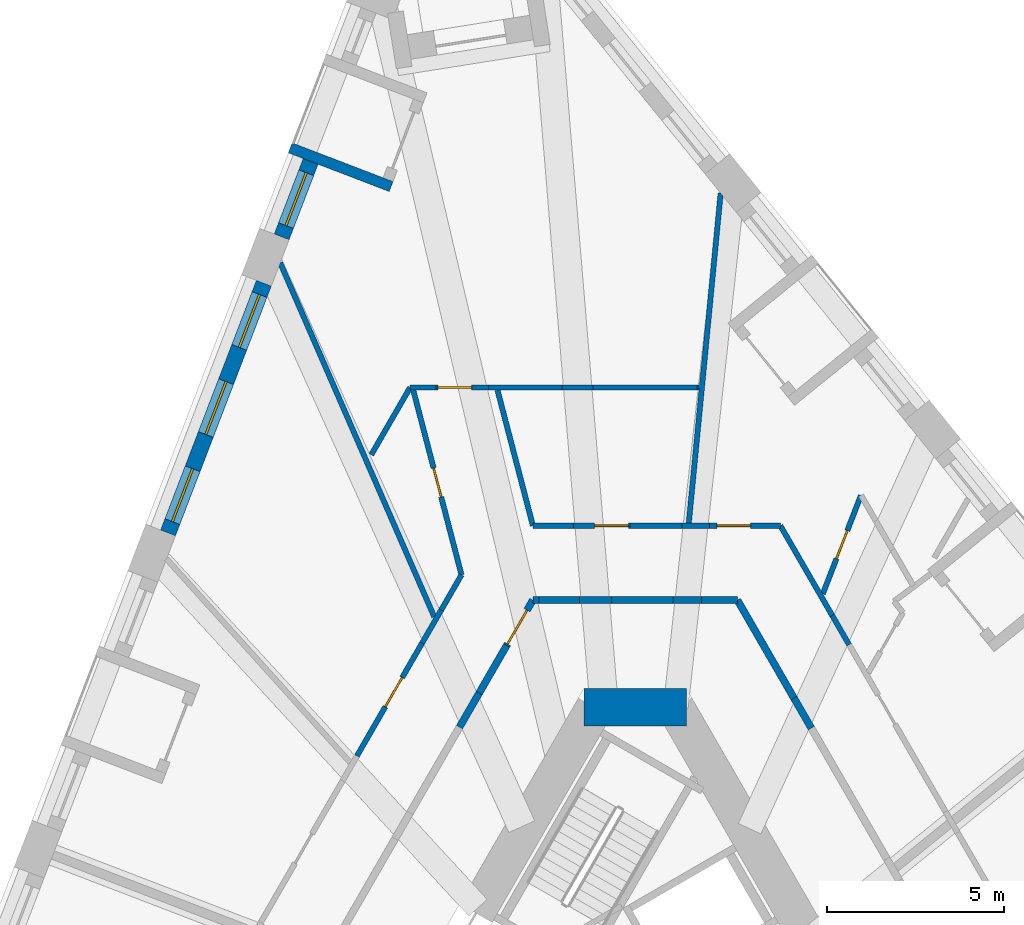
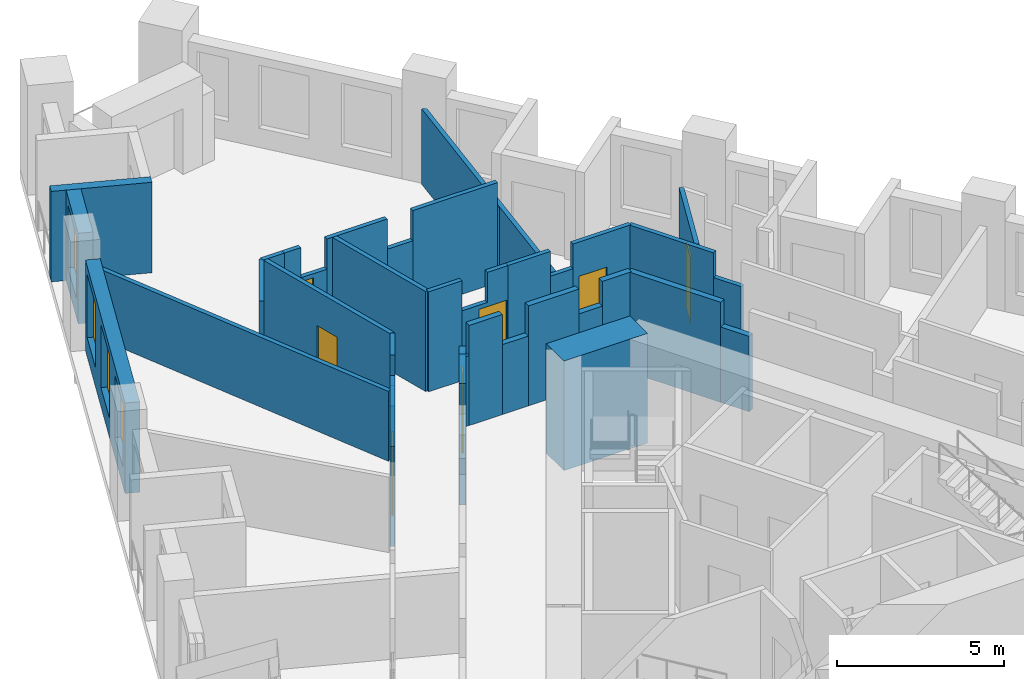
# One storey, part 8 of 14: 37 walls, 7 doors, 4 windows, 11 openings.
"""IFC4 building model written with IfcOpenShell, lengths in metres."""

from ifc_helpers import new_model, si_unit, direction, frame, frame_2d, origin, place, context, subcontext, project, spatial, polyline, rectangle, outline, extrude, material, layer, layer_set, type_object, element, fill, save


model = new_model("IFC4")

# Units and contexts
model_context = context("Model", 3, precision=1e-05, world=origin(), true_north=direction((0.0, 1.0)))
body_context = subcontext(model_context, "Body", "Model", "MODEL_VIEW")
ifc_project = project(units=[si_unit("LENGTHUNIT", "METRE"), si_unit("AREAUNIT", "SQUARE_METRE"), si_unit("VOLUMEUNIT", "CUBIC_METRE"), si_unit("PLANEANGLEUNIT", "RADIAN"), si_unit("MASSUNIT", "GRAM", prefix="KILO")], contexts=[model_context])

# Site, building, storey
site_placement = place(None, origin())
site = spatial("IfcSite", under=ifc_project, at=site_placement, CompositionType="ELEMENT")
building_placement = place(site_placement, origin())
building = spatial("IfcBuilding", under=site, at=building_placement, Name="Tramontana Tower", CompositionType="ELEMENT")
storey_placement = place(building_placement, frame((0.0, 0.0, 55.199951171875)))
storey = spatial("IfcBuildingStorey", under=building, at=storey_placement, Name="L11", CompositionType="ELEMENT", Elevation=55.199951171875)

# Walls
ifc_material_1 = material(Name="Concrete 70 MPa", Category="concrete")
ifc_layer_1 = layer(ifc_material_1, 1.050048828125)
ifc_layer_set_1 = layer_set([ifc_layer_1], Name="Core wall 1050 70 MPa")
wall_type_1 = type_object("IfcWallType", Name="Core wall 1050 70 MPa", PredefinedType="SHEAR", material=ifc_layer_set_1)
wall_1_placement = place(storey_placement, frame((1.443359375, 10.47509765625, 0.0), z_axis=(0.0, 0.0, 1.0), x_axis=(-1.0, 0.0, 0.0)))
element("IfcWall", 1, at=wall_1_placement, inside=storey, type_object=wall_type_1, Name="Core wall C0 L11", PredefinedType="SHEAR", context=body_context, shape_type="SweptSolid", body=[
    extrude(rectangle(XDim=2.88671875, YDim=1.050048828125, at=frame_2d((1.443359375, 0.0))), origin(), (0.0, 0.0, 1.0), 4.0),
])
ifc_material_2 = material(Name="Blockwork", Category="masonry")
ifc_layer_2 = layer(ifc_material_2, 0.199951171875)
ifc_layer_set_2 = layer_set([ifc_layer_2], Name="ENTRY WALL 200")
wall_type_2 = type_object("IfcWallType", Name="ENTRY WALL 200", PredefinedType="SOLIDWALL", material=ifc_layer_set_2)
wall_2_placement = place(storey_placement, frame((2.88671875, 13.5, 0.0), z_axis=(0.0, 0.0, 1.0), x_axis=(0.50003154259, -0.866007191896, 0.0)))
element("IfcWall", 2, at=wall_2_placement, inside=storey, type_object=wall_type_2, Name="Wall v10-ew0-0", PredefinedType="SOLIDWALL", context=body_context, shape_type="SweptSolid", body=[
    extrude(rectangle(XDim=3.190673828125, YDim=0.199951171875, at=frame_2d((1.59521484375, 0.0))), origin(), (0.0, 0.0, 1.0), 3.650146484375),
])
wall_3_placement = place(storey_placement, frame((4.482177734375, 10.73681640625, 0.0), z_axis=(0.0, 0.0, 1.0), x_axis=(0.499966601515, -0.86604468555, 0.0)))
element("IfcWall", 3, at=wall_3_placement, inside=storey, type_object=wall_type_2, Name="Wall v10-ew0-1", PredefinedType="SOLIDWALL", context=body_context, shape_type="SweptSolid", body=[
    extrude(rectangle(XDim=0.98095703125, YDim=0.199951171875, at=frame_2d((0.490478515625, 0.0))), origin(), (0.0, 0.0, 1.0), 2.75),
])
wall_4_placement = place(storey_placement, frame((-4.95751953125, 9.913330078125, 0.0), z_axis=(0.0, 0.0, 1.0), x_axis=(0.499951133605, 0.866053614973, 0.0)))
element("IfcWall", 4, at=wall_4_placement, inside=storey, type_object=wall_type_2, Name="Wall v10-ew4-7", PredefinedType="SOLIDWALL", context=body_context, shape_type="SweptSolid", body=[
    extrude(rectangle(XDim=1.10888671875, YDim=0.199951171875, at=frame_2d((0.554443359375, 0.0))), origin(), (0.0, 0.0, 1.0), 2.550048828125),
])
wall_5_placement = place(storey_placement, frame((-4.403076171875, 10.873779296875, 0.0), z_axis=(0.0, 0.0, 1.0), x_axis=(0.50011257031, 0.86596040153, 0.0)))
element("IfcWall", 5, at=wall_5_placement, inside=storey, type_object=wall_type_2, Name="Wall v10-ew4-8", PredefinedType="SOLIDWALL", context=body_context, shape_type="SweptSolid", body=[
    extrude(rectangle(XDim=1.552978515625, YDim=0.199951171875, at=frame_2d((0.7763671875, 0.0))), origin(), (0.0, 0.0, 1.0), 3.650146484375),
])

# Wall, opening, door
wall_6_placement = place(storey_placement, frame((-3.62646484375, 12.218505859375, 0.0), z_axis=(0.0, 0.0, 1.0), x_axis=(0.499936694431, 0.866061950187, 0.0)))
wall_6 = element("IfcWall", 6, at=wall_6_placement, inside=storey, type_object=wall_type_2, Name="Wall v10-ew4-9", PredefinedType="SOLIDWALL", context=body_context, shape_type="SweptSolid", body=[
    extrude(outline(polyline([(0.0, 0.0), (1.479736328125, 0.0), (1.4794921875, 2.550048828125), (0.4091796875, 2.550048828125), (0.4091796875, 3.650146484375), (0.0, 3.650146484375), (0.0, 0.0)])), frame((0.0, 0.10009765625, 0.0), z_axis=(0.0, -1.0, 0.0), x_axis=(1.0, 0.0, 0.0)), (0.0, 0.0, 1.0), 0.199951171875),
])
opening_1_placement = place(wall_6_placement, frame((0.050048828125, 0.0, 0.0)))
opening_1 = element("IfcOpeningElement", 7, at=opening_1_placement, cuts=wall_6, Name="Opening B1A-28", PredefinedType="OPENING", context=body_context, shape_type="SweptSolid", body=[
    extrude(rectangle(XDim=1.10009765625, YDim=2.39990234375, at=frame_2d((0.550048828125, 1.199951171875))), frame((0.0, 0.10986328125, 0.0), z_axis=(0.0, -1.0, 0.0), x_axis=(1.0, 0.0, 0.0)), (0.0, 0.0, 1.0), 0.219970703125),
])
ifc_material_3 = material(Name="Painted timber", Category="wood")
door_type_1 = type_object("IfcDoorType", Name="DOOR ENTRY 1100", OperationType="SINGLE_SWING_LEFT", PredefinedType="DOOR", material=ifc_material_3)
door_1_placement = place(opening_1_placement, origin())
door_1 = element("IfcDoor", 8, at=door_1_placement, inside=storey, type_object=door_type_1, Name="Door B1A-28", OperationType="SINGLE_SWING_RIGHT", OverallHeight=2.39990234375, OverallWidth=1.10009765625, PredefinedType="DOOR", context=body_context, shape_type="SweptSolid", body=[
    extrude(rectangle(XDim=1.10009765625, YDim=2.39990234375, at=frame_2d((0.550048828125, 1.199951171875))), frame((0.0, 0.02490234375, 0.0), z_axis=(0.0, -1.0, 0.0), x_axis=(1.0, 0.0, 0.0)), (0.0, 0.0, 1.0), 0.050048828125),
])
fill(opening_1, door_1)

# Walls
wall_7_placement = place(storey_placement, frame((-2.88671875, 13.5, 0.0), z_axis=(0.0, 0.0, 1.0), x_axis=(1.0, 0.0, 0.0)))
element("IfcWall", 9, at=wall_7_placement, inside=storey, type_object=wall_type_2, Name="Wall v10-ew5-0", PredefinedType="SOLIDWALL", context=body_context, shape_type="SweptSolid", body=[
    extrude(rectangle(XDim=0.171142578125, YDim=0.199951171875, at=frame_2d((0.08544921875, 0.0))), origin(), (0.0, 0.0, 1.0), 2.550048828125),
])
wall_8_placement = place(storey_placement, frame((-2.715576171875, 13.5, 0.0), z_axis=(0.0, 0.0, 1.0), x_axis=(1.0, 0.0, 0.0)))
element("IfcWall", 10, at=wall_8_placement, inside=storey, type_object=wall_type_2, Name="Wall v10-ew5-1", PredefinedType="SOLIDWALL", context=body_context, shape_type="SweptSolid", body=[
    extrude(rectangle(XDim=1.141357421875, YDim=0.199951171875, at=frame_2d((0.57080078125, 0.0))), origin(), (0.0, 0.0, 1.0), 3.650146484375),
])
wall_9_placement = place(storey_placement, frame((-1.57421875, 13.5, 0.0), z_axis=(0.0, 0.0, 1.0), x_axis=(1.0, 0.0, 0.0)))
element("IfcWall", 11, at=wall_9_placement, inside=storey, type_object=wall_type_2, Name="Wall v10-ew5-2", PredefinedType="SOLIDWALL", context=body_context, shape_type="SweptSolid", body=[
    extrude(rectangle(XDim=0.903076171875, YDim=0.199951171875, at=frame_2d((0.45166015625, 0.0))), origin(), (0.0, 0.0, 1.0), 2.550048828125),
])
wall_10_placement = place(storey_placement, frame((-0.671142578125, 13.5, 0.0), z_axis=(0.0, 0.0, 1.0), x_axis=(1.0, 0.0, 0.0)))
element("IfcWall", 12, at=wall_10_placement, inside=storey, type_object=wall_type_2, Name="Wall v10-ew5-3", PredefinedType="SOLIDWALL", context=body_context, shape_type="SweptSolid", body=[
    extrude(rectangle(XDim=1.745361328125, YDim=0.199951171875, at=frame_2d((0.87255859375, 0.0))), origin(), (0.0, 0.0, 1.0), 3.650146484375),
])
wall_11_placement = place(storey_placement, frame((1.07421875, 13.5, 0.0), z_axis=(0.0, 0.0, 1.0), x_axis=(1.0, 0.0, 0.0)))
element("IfcWall", 13, at=wall_11_placement, inside=storey, type_object=wall_type_2, Name="Wall v10-ew5-4", PredefinedType="SOLIDWALL", context=body_context, shape_type="SweptSolid", body=[
    extrude(rectangle(XDim=0.804931640625, YDim=0.199951171875, at=frame_2d((0.40234375, 0.0))), origin(), (0.0, 0.0, 1.0), 2.75),
])
wall_12_placement = place(storey_placement, frame((1.879150390625, 13.5, 0.0), z_axis=(0.0, 0.0, 1.0), x_axis=(1.0, 0.0, 0.0)))
element("IfcWall", 14, at=wall_12_placement, inside=storey, type_object=wall_type_2, Name="Wall v10-ew5-5", PredefinedType="SOLIDWALL", context=body_context, shape_type="SweptSolid", body=[
    extrude(rectangle(XDim=1.007568359375, YDim=0.199951171875, at=frame_2d((0.50390625, 0.0))), origin(), (0.0, 0.0, 1.0), 3.650146484375),
])

# Wall, opening, window
ifc_material_4 = material(Name="Precast concrete 60 MPa", Category="concrete")
ifc_layer_3 = layer(ifc_material_4, 0.449951171875)
ifc_layer_set_3 = layer_set([ifc_layer_3], Name="Precast concrete 60 MPa, 450 mm")
wall_type_3 = type_object("IfcWallType", Name="EW1 Stone-faced precast wall 450", PredefinedType="SOLIDWALL", material=ifc_layer_set_3)
wall_13_placement = place(storey_placement, frame((-9.157958984375, 25.8818359375, 0.0), z_axis=(0.0, 0.0, 1.0), x_axis=(-0.358355550725, -0.933585185864, 0.0)))
wall_13 = element("IfcWall", 15, at=wall_13_placement, inside=storey, type_object=wall_type_3, Name="External wall L11 face 0 bay 1", PredefinedType="SOLIDWALL", context=body_context, shape_type="SweptSolid", body=[
    extrude(rectangle(XDim=2.282958984375, YDim=0.449951171875, at=frame_2d((1.1416015625, 0.0))), origin(), (0.0, 0.0, 1.0), 3.300048828125),
])
opening_2_placement = place(wall_13_placement, frame((0.341552734375, 0.0, 0.699951171875)))
opening_2 = element("IfcOpeningElement", 16, at=opening_2_placement, cuts=wall_13, Name="Opening M1", PredefinedType="OPENING", context=body_context, shape_type="SweptSolid", body=[
    extrude(rectangle(XDim=1.60009765625, YDim=2.300048828125, at=frame_2d((0.800048828125, 1.14990234375))), frame((0.0, 0.23486328125, 0.0), z_axis=(0.0, -1.0, 0.0), x_axis=(1.0, 0.0, 0.0)), (0.0, 0.0, 1.0), 0.469970703125),
])
ifc_material_5 = material(Name="Aluminum frame, double glazing unit", Category="aluminium")
window_type = type_object("IfcWindowType", Name="M1 Window 1.6 x 2.3", PartitioningType="SINGLE_PANEL", PredefinedType="WINDOW", material=ifc_material_5)
window_1_placement = place(opening_2_placement, origin())
window_1 = element("IfcWindow", 17, at=window_1_placement, inside=storey, type_object=window_type, Name="Window M1 L11 face 0 module 3", OverallHeight=2.300048828125, OverallWidth=1.60009765625, PartitioningType="SINGLE_PANEL", PredefinedType="WINDOW", context=body_context, shape_type="SweptSolid", body=[
    extrude(rectangle(XDim=1.60009765625, YDim=2.300048828125, at=frame_2d((0.800048828125, 1.14990234375))), frame((0.0, 0.030029296875, 0.0), z_axis=(0.0, -1.0, 0.0), x_axis=(1.0, 0.0, 0.0)), (0.0, 0.0, 1.0), 0.06005859375),
])
fill(opening_2, window_1)

# Wall, openings, windows
wall_14_placement = place(storey_placement, frame((-10.47802734375, 22.443603515625, 0.0), z_axis=(0.0, 0.0, 1.0), x_axis=(-0.358339674384, -0.933591279823, 0.0)))
wall_14 = element("IfcWall", 18, at=wall_14_placement, inside=storey, type_object=wall_type_3, Name="External wall L11 face 0 bay 2", PredefinedType="SOLIDWALL", context=body_context, shape_type="SweptSolid", body=[
    extrude(rectangle(XDim=7.548828125, YDim=0.449951171875, at=frame_2d((3.7744140625, 0.0))), origin(), (0.0, 0.0, 1.0), 3.300048828125),
])
opening_3_placement = place(wall_14_placement, frame((0.341552734375, 0.0, 0.699951171875)))
opening_3 = element("IfcOpeningElement", 19, at=opening_3_placement, cuts=wall_14, Name="Opening M1", PredefinedType="OPENING", context=body_context, shape_type="SweptSolid", body=[
    extrude(rectangle(XDim=1.60009765625, YDim=2.300048828125, at=frame_2d((0.800048828125, 1.14990234375))), frame((0.0, 0.23486328125, 0.0), z_axis=(0.0, -1.0, 0.0), x_axis=(1.0, 0.0, 0.0)), (0.0, 0.0, 1.0), 0.469970703125),
])
opening_4_placement = place(wall_14_placement, frame((2.974365234375, 0.0, 0.699951171875)))
opening_4 = element("IfcOpeningElement", 20, at=opening_4_placement, cuts=wall_14, Name="Opening M1", PredefinedType="OPENING", context=body_context, shape_type="SweptSolid", body=[
    extrude(rectangle(XDim=1.60009765625, YDim=2.300048828125, at=frame_2d((0.800048828125, 1.14990234375))), frame((0.0, 0.23486328125, 0.0), z_axis=(0.0, -1.0, 0.0), x_axis=(1.0, 0.0, 0.0)), (0.0, 0.0, 1.0), 0.469970703125),
])
opening_5_placement = place(wall_14_placement, frame((5.607421875, 0.0, 0.699951171875)))
opening_5 = element("IfcOpeningElement", 21, at=opening_5_placement, cuts=wall_14, Name="Opening M1", PredefinedType="OPENING", context=body_context, shape_type="SweptSolid", body=[
    extrude(rectangle(XDim=1.60009765625, YDim=2.300048828125, at=frame_2d((0.800048828125, 1.14990234375))), frame((0.0, 0.23486328125, 0.0), z_axis=(0.0, -1.0, 0.0), x_axis=(1.0, 0.0, 0.0)), (0.0, 0.0, 1.0), 0.469970703125),
])
window_2_placement = place(opening_3_placement, origin())
window_2 = element("IfcWindow", 22, at=window_2_placement, inside=storey, type_object=window_type, Name="Window M1 L11 face 0 module 4", OverallHeight=2.300048828125, OverallWidth=1.60009765625, PartitioningType="SINGLE_PANEL", PredefinedType="WINDOW", context=body_context, shape_type="SweptSolid", body=[
    extrude(rectangle(XDim=1.60009765625, YDim=2.300048828125, at=frame_2d((0.800048828125, 1.14990234375))), frame((0.0, 0.030029296875, 0.0), z_axis=(0.0, -1.0, 0.0), x_axis=(1.0, 0.0, 0.0)), (0.0, 0.0, 1.0), 0.06005859375),
])
fill(opening_3, window_2)
window_3_placement = place(opening_4_placement, origin())
window_3 = element("IfcWindow", 23, at=window_3_placement, inside=storey, type_object=window_type, Name="Window M1 L11 face 0 module 5", OverallHeight=2.300048828125, OverallWidth=1.60009765625, PartitioningType="SINGLE_PANEL", PredefinedType="WINDOW", context=body_context, shape_type="SweptSolid", body=[
    extrude(rectangle(XDim=1.60009765625, YDim=2.300048828125, at=frame_2d((0.800048828125, 1.14990234375))), frame((0.0, 0.030029296875, 0.0), z_axis=(0.0, -1.0, 0.0), x_axis=(1.0, 0.0, 0.0)), (0.0, 0.0, 1.0), 0.06005859375),
])
fill(opening_4, window_3)
window_4_placement = place(opening_5_placement, origin())
window_4 = element("IfcWindow", 24, at=window_4_placement, inside=storey, type_object=window_type, Name="Window M1 L11 face 0 module 6", OverallHeight=2.300048828125, OverallWidth=1.60009765625, PartitioningType="SINGLE_PANEL", PredefinedType="WINDOW", context=body_context, shape_type="SweptSolid", body=[
    extrude(rectangle(XDim=1.60009765625, YDim=2.300048828125, at=frame_2d((0.800048828125, 1.14990234375))), frame((0.0, 0.030029296875, 0.0), z_axis=(0.0, -1.0, 0.0), x_axis=(1.0, 0.0, 0.0)), (0.0, 0.0, 1.0), 0.06005859375),
])
fill(opening_5, window_4)

# Walls
ifc_material_6 = material(Name="Precast concrete 60 MPa", Category="concrete")
ifc_layer_4 = layer(ifc_material_6, 0.300048828125)
ifc_layer_set_4 = layer_set([ifc_layer_4], Name="LW1 Stone-faced loggia wall 300")
wall_type_4 = type_object("IfcWallType", Name="LW1 Stone-faced loggia wall 300", PredefinedType="SOLIDWALL", material=ifc_layer_set_4)
wall_15_placement = place(storey_placement, frame((-9.734375, 26.263671875, 0.0), z_axis=(0.0, 0.0, 1.0), x_axis=(0.933580593625, -0.358367514161, 0.0)))
element("IfcWall", 25, at=wall_15_placement, inside=storey, type_object=wall_type_4, Name="Loggia return L11 G1S0.1b", PredefinedType="SOLIDWALL", context=body_context, shape_type="SweptSolid", body=[
    extrude(rectangle(XDim=3.050048828125, YDim=0.300048828125, at=frame_2d((1.52490234375, 0.0))), origin(), (0.0, 0.0, 1.0), 3.300048828125),
])
ifc_material_7 = material(Name="Gypsum board partition")
ifc_layer_5 = layer(ifc_material_7, 0.14990234375)
ifc_layer_set_5 = layer_set([ifc_layer_5], Name="PARTITION 150")
wall_type_5 = type_object("IfcWallType", Name="PARTITION 150", PredefinedType="PARTITIONING", material=ifc_layer_set_5)
wall_16_placement = place(storey_placement, frame((-7.446533203125, 17.60205078125, 0.0), z_axis=(0.0, 0.0, 1.0), x_axis=(0.499973180286, 0.8660408876, 0.0)))
element("IfcWall", 26, at=wall_16_placement, inside=storey, type_object=wall_type_5, Name="Wall v10-pw13-1", PredefinedType="PARTITIONING", context=body_context, shape_type="SweptSolid", body=[
    extrude(rectangle(XDim=2.19140625, YDim=0.14990234375, at=frame_2d((1.095703125, 0.0))), origin(), (0.0, 0.0, 1.0), 3.650146484375),
])
wall_17_placement = place(storey_placement, frame((-6.350830078125, 19.5, 0.0), z_axis=(0.0, 0.0, 1.0), x_axis=(1.0, 0.0, 0.0)))
element("IfcWall", 27, at=wall_17_placement, inside=storey, type_object=wall_type_5, Name="Wall v10-pw14-0", PredefinedType="PARTITIONING", context=body_context, shape_type="SweptSolid", body=[
    extrude(rectangle(XDim=0.73388671875, YDim=0.14990234375, at=frame_2d((0.366943359375, 0.0))), origin(), (0.0, 0.0, 1.0), 3.650146484375),
])

# Wall, opening, door
wall_18_placement = place(storey_placement, frame((-5.616943359375, 19.5, 0.0), z_axis=(0.0, 0.0, 1.0), x_axis=(1.0, 0.0, 0.0)))
wall_18 = element("IfcWall", 28, at=wall_18_placement, inside=storey, type_object=wall_type_5, Name="Wall v10-pw14-1", PredefinedType="PARTITIONING", context=body_context, shape_type="SweptSolid", body=[
    extrude(outline(polyline([(0.0, 0.0), (1.476318359375, 0.0), (1.476318359375, 2.550048828125), (0.577392578125, 2.550048828125), (0.577392578125, 3.650146484375), (0.0, 3.650146484375), (0.0, 0.0)])), frame((0.0, 0.074951171875, 0.0), z_axis=(0.0, -1.0, 0.0), x_axis=(1.0, 0.0, 0.0)), (0.0, 0.0, 1.0), 0.14990234375),
])
opening_6_placement = place(wall_18_placement, frame((0.050048828125, 0.0, 0.0)))
opening_6 = element("IfcOpeningElement", 29, at=opening_6_placement, cuts=wall_18, Name="Opening B1A-03", PredefinedType="OPENING", context=body_context, shape_type="SweptSolid", body=[
    extrude(rectangle(XDim=0.949951171875, YDim=2.39990234375, at=frame_2d((0.47509765625, 1.199951171875))), frame((0.0, 0.0849609375, 0.0), z_axis=(0.0, -1.0, 0.0), x_axis=(1.0, 0.0, 0.0)), (0.0, 0.0, 1.0), 0.169921875),
])
ifc_material_8 = material(Name="Painted timber", Category="wood")
door_type_2 = type_object("IfcDoorType", Name="DOOR ROOM 950", OperationType="SINGLE_SWING_LEFT", PredefinedType="DOOR", material=ifc_material_8)
door_2_placement = place(opening_6_placement, origin())
door_2 = element("IfcDoor", 30, at=door_2_placement, inside=storey, type_object=door_type_2, Name="Door B1A-03", OperationType="SINGLE_SWING_LEFT", OverallHeight=2.39990234375, OverallWidth=0.949951171875, PredefinedType="DOOR", context=body_context, shape_type="SweptSolid", body=[
    extrude(rectangle(XDim=0.949951171875, YDim=2.39990234375, at=frame_2d((0.47509765625, 1.199951171875))), frame((0.0, 0.02490234375, 0.0), z_axis=(0.0, -1.0, 0.0), x_axis=(1.0, 0.0, 0.0)), (0.0, 0.0, 1.0), 0.050048828125),
])
fill(opening_6, door_2)

# Walls
wall_19_placement = place(storey_placement, frame((-4.140625, 19.5, 0.0), z_axis=(0.0, 0.0, 1.0), x_axis=(1.0, 0.0, 0.0)))
element("IfcWall", 31, at=wall_19_placement, inside=storey, type_object=wall_type_5, Name="Wall v10-pw14-2", PredefinedType="PARTITIONING", context=body_context, shape_type="SweptSolid", body=[
    extrude(rectangle(XDim=2.079833984375, YDim=0.14990234375, at=frame_2d((1.0400390625, 0.0))), origin(), (0.0, 0.0, 1.0), 3.650146484375),
])
wall_20_placement = place(storey_placement, frame((-2.060791015625, 19.5, 0.0), z_axis=(0.0, 0.0, 1.0), x_axis=(1.0, 0.0, 0.0)))
element("IfcWall", 32, at=wall_20_placement, inside=storey, type_object=wall_type_5, Name="Wall v10-pw14-3", PredefinedType="PARTITIONING", context=body_context, shape_type="SweptSolid", body=[
    extrude(rectangle(XDim=0.878173828125, YDim=0.14990234375, at=frame_2d((0.43896484375, 0.0))), origin(), (0.0, 0.0, 1.0), 2.550048828125),
])
wall_21_placement = place(storey_placement, frame((-1.1826171875, 19.5, 0.0), z_axis=(0.0, 0.0, 1.0), x_axis=(1.0, 0.0, 0.0)))
element("IfcWall", 33, at=wall_21_placement, inside=storey, type_object=wall_type_5, Name="Wall v10-pw14-4", PredefinedType="PARTITIONING", context=body_context, shape_type="SweptSolid", body=[
    extrude(rectangle(XDim=2.92578125, YDim=0.14990234375, at=frame_2d((1.462890625, 0.0))), origin(), (0.0, 0.0, 1.0), 3.650146484375),
])
wall_22_placement = place(storey_placement, frame((1.7431640625, 19.5, 0.0), z_axis=(0.0, 0.0, 1.0), x_axis=(1.0, 0.0, 0.0)))
element("IfcWall", 34, at=wall_22_placement, inside=storey, type_object=wall_type_5, Name="Wall v10-pw14-5", PredefinedType="PARTITIONING", context=body_context, shape_type="SweptSolid", body=[
    extrude(rectangle(XDim=0.065673828125, YDim=0.14990234375, at=frame_2d((0.03271484375, 0.0))), origin(), (0.0, 0.0, 1.0), 2.75),
])
wall_23_placement = place(storey_placement, frame((-5.670166015625, 13.02880859375, 0.0), z_axis=(0.0, 0.0, 1.0), x_axis=(-0.399074402335, 0.916918546764, 0.0)))
element("IfcWall", 35, at=wall_23_placement, inside=storey, type_object=wall_type_5, Name="Wall v10-pw15-0", PredefinedType="PARTITIONING", context=body_context, shape_type="SweptSolid", body=[
    extrude(rectangle(XDim=10.892578125, YDim=0.14990234375, at=frame_2d((5.4462890625, 0.0))), origin(), (0.0, 0.0, 1.0), 2.550048828125),
])
wall_24_placement = place(storey_placement, frame((-4.900146484375, 14.212646484375, 0.0), z_axis=(0.0, 0.0, 1.0), x_axis=(-0.500078876233, -0.86597985978, 0.0)))
element("IfcWall", 36, at=wall_24_placement, inside=storey, type_object=wall_type_5, Name="Wall v10-pw16-0", PredefinedType="PARTITIONING", context=body_context, shape_type="SweptSolid", body=[
    extrude(rectangle(XDim=1.146240234375, YDim=0.14990234375, at=frame_2d((0.5732421875, 0.0))), origin(), (0.0, 0.0, 1.0), 3.650146484375),
])
wall_25_placement = place(storey_placement, frame((-5.473388671875, 13.219970703125, 0.0), z_axis=(0.0, 0.0, 1.0), x_axis=(-0.499938053331, -0.866061165757, 0.0)))
element("IfcWall", 37, at=wall_25_placement, inside=storey, type_object=wall_type_5, Name="Wall v10-pw16-1", PredefinedType="PARTITIONING", context=body_context, shape_type="SweptSolid", body=[
    extrude(rectangle(XDim=1.078369140625, YDim=0.14990234375, at=frame_2d((0.5390625, 0.0))), origin(), (0.0, 0.0, 1.0), 2.550048828125),
])

# Wall, opening, door
wall_26_placement = place(storey_placement, frame((-7.85107421875, 9.1015625, 0.0), z_axis=(0.0, 0.0, 1.0), x_axis=(0.500002145574, 0.866024165033, 0.0)))
wall_26 = element("IfcWall", 38, at=wall_26_placement, inside=storey, type_object=wall_type_5, Name="Wall v10-pw16-2", PredefinedType="PARTITIONING", context=body_context, shape_type="SweptSolid", body=[
    extrude(rectangle(XDim=3.67724609375, YDim=0.14990234375, at=frame_2d((1.838623046875, 0.0))), origin(), (0.0, 0.0, 1.0), 3.650146484375),
])
opening_7_placement = place(wall_26_placement, frame((1.603515625, 0.0, 0.0)))
opening_7 = element("IfcOpeningElement", 39, at=opening_7_placement, cuts=wall_26, Name="Opening B1A-06", PredefinedType="OPENING", context=body_context, shape_type="SweptSolid", body=[
    extrude(rectangle(XDim=0.949951171875, YDim=2.39990234375, at=frame_2d((0.47509765625, 1.199951171875))), frame((0.0, 0.0849609375, 0.0), z_axis=(0.0, -1.0, 0.0), x_axis=(1.0, 0.0, 0.0)), (0.0, 0.0, 1.0), 0.169921875),
])
door_3_placement = place(opening_7_placement, origin())
door_3 = element("IfcDoor", 40, at=door_3_placement, inside=storey, type_object=door_type_2, Name="Door B1A-06", OperationType="SINGLE_SWING_RIGHT", OverallHeight=2.39990234375, OverallWidth=0.949951171875, PredefinedType="DOOR", context=body_context, shape_type="SweptSolid", body=[
    extrude(rectangle(XDim=0.949951171875, YDim=2.39990234375, at=frame_2d((0.47509765625, 1.199951171875))), frame((0.0, 0.02490234375, 0.0), z_axis=(0.0, -1.0, 0.0), x_axis=(1.0, 0.0, 0.0)), (0.0, 0.0, 1.0), 0.050048828125),
])
fill(opening_7, door_3)

wall_27_placement = place(storey_placement, frame((-4.900146484375, 14.212646484375, 0.0), z_axis=(0.0, 0.0, 1.0), x_axis=(-0.25265249466, 0.967557087175, 0.0)))
wall_27 = element("IfcWall", 41, at=wall_27_placement, inside=storey, type_object=wall_type_5, Name="Wall v10-pw17", PredefinedType="PARTITIONING", context=body_context, shape_type="SweptSolid", body=[
    extrude(rectangle(XDim=5.38720703125, YDim=0.14990234375, at=frame_2d((2.693603515625, 0.0))), origin(), (0.0, 0.0, 1.0), 3.650146484375),
])
opening_8_placement = place(wall_27_placement, frame((2.2685546875, 0.0, 0.0)))
opening_8 = element("IfcOpeningElement", 42, at=opening_8_placement, cuts=wall_27, Name="Opening B1A-02", PredefinedType="OPENING", context=body_context, shape_type="SweptSolid", body=[
    extrude(rectangle(XDim=0.85009765625, YDim=2.39990234375, at=frame_2d((0.425048828125, 1.199951171875))), frame((0.0, 0.0849609375, 0.0), z_axis=(0.0, -1.0, 0.0), x_axis=(1.0, 0.0, 0.0)), (0.0, 0.0, 1.0), 0.169921875),
])
ifc_material_9 = material(Name="Painted timber", Category="wood")
door_type_3 = type_object("IfcDoorType", Name="DOOR BATH 850", OperationType="SINGLE_SWING_LEFT", PredefinedType="DOOR", material=ifc_material_9)
door_4_placement = place(opening_8_placement, origin())
door_4 = element("IfcDoor", 43, at=door_4_placement, inside=storey, type_object=door_type_3, Name="Door B1A-02", OperationType="SINGLE_SWING_RIGHT", OverallHeight=2.39990234375, OverallWidth=0.85009765625, PredefinedType="DOOR", context=body_context, shape_type="SweptSolid", body=[
    extrude(rectangle(XDim=0.85009765625, YDim=2.39990234375, at=frame_2d((0.425048828125, 1.199951171875))), frame((0.0, 0.02490234375, 0.0), z_axis=(0.0, -1.0, 0.0), x_axis=(1.0, 0.0, 0.0)), (0.0, 0.0, 1.0), 0.050048828125),
])
fill(opening_8, door_4)

# Walls
wall_28_placement = place(storey_placement, frame((-3.88427734375, 19.425048828125, 0.0), z_axis=(0.0, 0.0, 1.0), x_axis=(0.252708480958, -0.967542466072, 0.0)))
element("IfcWall", 44, at=wall_28_placement, inside=storey, type_object=wall_type_5, Name="Wall v10-pw18", PredefinedType="PARTITIONING", context=body_context, shape_type="SweptSolid", body=[
    extrude(rectangle(XDim=3.953369140625, YDim=0.14990234375, at=frame_2d((1.9765625, 0.0))), origin(), (0.0, 0.0, 1.0), 3.650146484375),
])
wall_29_placement = place(storey_placement, frame((-2.88525390625, 15.60009765625, 0.0), z_axis=(0.0, 0.0, 1.0), x_axis=(1.0, 0.0, 0.0)))
element("IfcWall", 45, at=wall_29_placement, inside=storey, type_object=wall_type_5, Name="Wall v10-pw20-0", PredefinedType="PARTITIONING", context=body_context, shape_type="SweptSolid", body=[
    extrude(rectangle(XDim=1.14892578125, YDim=0.14990234375, at=frame_2d((0.574462890625, 0.0))), origin(), (0.0, 0.0, 1.0), 3.650146484375),
])

# Wall, opening, door
wall_30_placement = place(storey_placement, frame((-1.736328125, 15.60009765625, 0.0), z_axis=(0.0, 0.0, 1.0), x_axis=(1.0, 0.0, 0.0)))
wall_30 = element("IfcWall", 46, at=wall_30_placement, inside=storey, type_object=wall_type_5, Name="Wall v10-pw20-1", PredefinedType="PARTITIONING", context=body_context, shape_type="SweptSolid", body=[
    extrude(outline(polyline([(0.0, 0.0), (1.59375, 0.0), (1.593994140625, 3.650146484375), (0.8779296875, 3.650146484375), (0.8779296875, 2.550048828125), (0.0, 2.550048828125), (0.0, 0.0)])), frame((0.0, 0.074951171875, 0.0), z_axis=(0.0, -1.0, 0.0), x_axis=(1.0, 0.0, 0.0)), (0.0, 0.0, 1.0), 0.14990234375),
])
opening_9_placement = place(wall_30_placement, frame((0.593994140625, 0.0, 0.0)))
opening_9 = element("IfcOpeningElement", 47, at=opening_9_placement, cuts=wall_30, Name="Opening B1A-01", PredefinedType="OPENING", context=body_context, shape_type="SweptSolid", body=[
    extrude(rectangle(XDim=0.949951171875, YDim=2.39990234375, at=frame_2d((0.47509765625, 1.199951171875))), frame((0.0, 0.0849609375, 0.0), z_axis=(0.0, -1.0, 0.0), x_axis=(1.0, 0.0, 0.0)), (0.0, 0.0, 1.0), 0.169921875),
])
door_5_placement = place(opening_9_placement, origin())
door_5 = element("IfcDoor", 48, at=door_5_placement, inside=storey, type_object=door_type_2, Name="Door B1A-01", OperationType="SINGLE_SWING_LEFT", OverallHeight=2.39990234375, OverallWidth=0.949951171875, PredefinedType="DOOR", context=body_context, shape_type="SweptSolid", body=[
    extrude(rectangle(XDim=0.949951171875, YDim=2.39990234375, at=frame_2d((0.47509765625, 1.199951171875))), frame((0.0, 0.02490234375, 0.0), z_axis=(0.0, -1.0, 0.0), x_axis=(1.0, 0.0, 0.0)), (0.0, 0.0, 1.0), 0.050048828125),
])
fill(opening_9, door_5)

# Walls
wall_31_placement = place(storey_placement, frame((-0.142578125, 15.60009765625, 0.0), z_axis=(0.0, 0.0, 1.0), x_axis=(1.0, 0.0, 0.0)))
element("IfcWall", 49, at=wall_31_placement, inside=storey, type_object=wall_type_5, Name="Wall v10-pw20-2", PredefinedType="PARTITIONING", context=body_context, shape_type="SweptSolid", body=[
    extrude(rectangle(XDim=1.459228515625, YDim=0.14990234375, at=frame_2d((0.7294921875, 0.0))), origin(), (0.0, 0.0, 1.0), 3.650146484375),
])
wall_32_placement = place(storey_placement, frame((1.316650390625, 15.60009765625, 0.0), z_axis=(0.0, 0.0, 1.0), x_axis=(1.0, 0.0, 0.0)))
element("IfcWall", 50, at=wall_32_placement, inside=storey, type_object=wall_type_5, Name="Wall v10-pw20-3", PredefinedType="PARTITIONING", context=body_context, shape_type="SweptSolid", body=[
    extrude(rectangle(XDim=0.779541015625, YDim=0.14990234375, at=frame_2d((0.3896484375, 0.0))), origin(), (0.0, 0.0, 1.0), 2.75),
])

# Wall, opening, door
wall_33_placement = place(storey_placement, frame((2.09619140625, 15.60009765625, 0.0), z_axis=(0.0, 0.0, 1.0), x_axis=(1.0, 0.0, 0.0)))
wall_33 = element("IfcWall", 51, at=wall_33_placement, inside=storey, type_object=wall_type_5, Name="Wall v10-pw20-4", PredefinedType="PARTITIONING", context=body_context, shape_type="SweptSolid", body=[
    extrude(rectangle(XDim=2.0029296875, YDim=0.14990234375, at=frame_2d((1.00146484375, 0.0))), origin(), (0.0, 0.0, 1.0), 3.650146484375),
])
opening_10_placement = place(wall_33_placement, frame((0.210693359375, 0.0, 0.0)))
opening_10 = element("IfcOpeningElement", 52, at=opening_10_placement, cuts=wall_33, Name="Opening B1A-04", PredefinedType="OPENING", context=body_context, shape_type="SweptSolid", body=[
    extrude(rectangle(XDim=0.949951171875, YDim=2.39990234375, at=frame_2d((0.47509765625, 1.199951171875))), frame((0.0, 0.0849609375, 0.0), z_axis=(0.0, -1.0, 0.0), x_axis=(1.0, 0.0, 0.0)), (0.0, 0.0, 1.0), 0.169921875),
])
door_6_placement = place(opening_10_placement, origin())
door_6 = element("IfcDoor", 53, at=door_6_placement, inside=storey, type_object=door_type_2, Name="Door B1A-04", OperationType="SINGLE_SWING_RIGHT", OverallHeight=2.39990234375, OverallWidth=0.949951171875, PredefinedType="DOOR", context=body_context, shape_type="SweptSolid", body=[
    extrude(rectangle(XDim=0.949951171875, YDim=2.39990234375, at=frame_2d((0.47509765625, 1.199951171875))), frame((0.0, 0.02490234375, 0.0), z_axis=(0.0, -1.0, 0.0), x_axis=(1.0, 0.0, 0.0)), (0.0, 0.0, 1.0), 0.050048828125),
])
fill(opening_10, door_6)

# Walls
wall_34_placement = place(storey_placement, frame((2.414306640625, 24.9853515625, 0.0), z_axis=(0.0, 0.0, 1.0), x_axis=(-0.096182387121, -0.995363726689, 0.0)))
element("IfcWall", 54, at=wall_34_placement, inside=storey, type_object=wall_type_5, Name="Wall v10-pw22-0", PredefinedType="PARTITIONING", context=body_context, shape_type="SweptSolid", body=[
    extrude(rectangle(XDim=9.353759765625, YDim=0.14990234375, at=frame_2d((4.6767578125, 0.0))), origin(), (0.0, 0.0, 1.0), 2.75),
])
wall_35_placement = place(storey_placement, frame((4.09912109375, 15.60009765625, 0.0), z_axis=(0.0, 0.0, 1.0), x_axis=(0.500013600279, -0.866017551517, 0.0)))
element("IfcWall", 55, at=wall_35_placement, inside=storey, type_object=wall_type_5, Name="Wall v10-pw23-0", PredefinedType="PARTITIONING", context=body_context, shape_type="SweptSolid", body=[
    extrude(rectangle(XDim=2.927734375, YDim=0.14990234375, at=frame_2d((1.4638671875, 0.0))), origin(), (0.0, 0.0, 1.0), 3.650146484375),
])
wall_36_placement = place(storey_placement, frame((5.56298828125, 13.064697265625, 0.0), z_axis=(0.0, 0.0, 1.0), x_axis=(0.500033686847, -0.8660059538, 0.0)))
element("IfcWall", 56, at=wall_36_placement, inside=storey, type_object=wall_type_5, Name="Wall v10-pw23-1", PredefinedType="PARTITIONING", context=body_context, shape_type="SweptSolid", body=[
    extrude(rectangle(XDim=0.95068359375, YDim=0.14990234375, at=frame_2d((0.475341796875, 0.0))), origin(), (0.0, 0.0, 1.0), 2.75),
])

# Wall, opening, door
wall_37_placement = place(storey_placement, frame((6.373046875, 16.454833984375, 0.0), z_axis=(0.0, 0.0, 1.0), x_axis=(-0.361113609809, -0.932521828597, 0.0)))
wall_37 = element("IfcWall", 57, at=wall_37_placement, inside=storey, type_object=wall_type_5, Name="Wall v10-pw24", PredefinedType="PARTITIONING", context=body_context, shape_type="SweptSolid", body=[
    extrude(rectangle(XDim=2.980224609375, YDim=0.14990234375, at=frame_2d((1.490234375, 0.0))), origin(), (0.0, 0.0, 1.0), 3.650146484375),
])
opening_11_placement = place(wall_37_placement, frame((1.065185546875, 0.0, 0.0)))
opening_11 = element("IfcOpeningElement", 58, at=opening_11_placement, cuts=wall_37, Name="Opening B1A-08", PredefinedType="OPENING", context=body_context, shape_type="SweptSolid", body=[
    extrude(rectangle(XDim=0.85009765625, YDim=2.39990234375, at=frame_2d((0.425048828125, 1.199951171875))), frame((0.0, 0.0849609375, 0.0), z_axis=(0.0, -1.0, 0.0), x_axis=(1.0, 0.0, 0.0)), (0.0, 0.0, 1.0), 0.169921875),
])
door_7_placement = place(opening_11_placement, origin())
door_7 = element("IfcDoor", 59, at=door_7_placement, inside=storey, type_object=door_type_3, Name="Door B1A-08", OperationType="SINGLE_SWING_RIGHT", OverallHeight=2.39990234375, OverallWidth=0.85009765625, PredefinedType="DOOR", context=body_context, shape_type="SweptSolid", body=[
    extrude(rectangle(XDim=0.85009765625, YDim=2.39990234375, at=frame_2d((0.425048828125, 1.199951171875))), frame((0.0, 0.02490234375, 0.0), z_axis=(0.0, -1.0, 0.0), x_axis=(1.0, 0.0, 0.0)), (0.0, 0.0, 1.0), 0.050048828125),
])
fill(opening_11, door_7)

save(model, "model.ifc")
